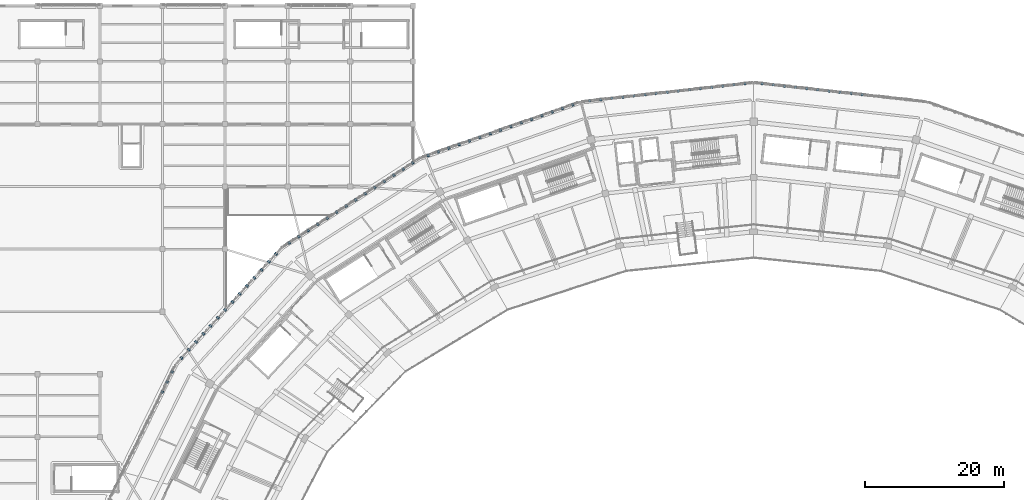
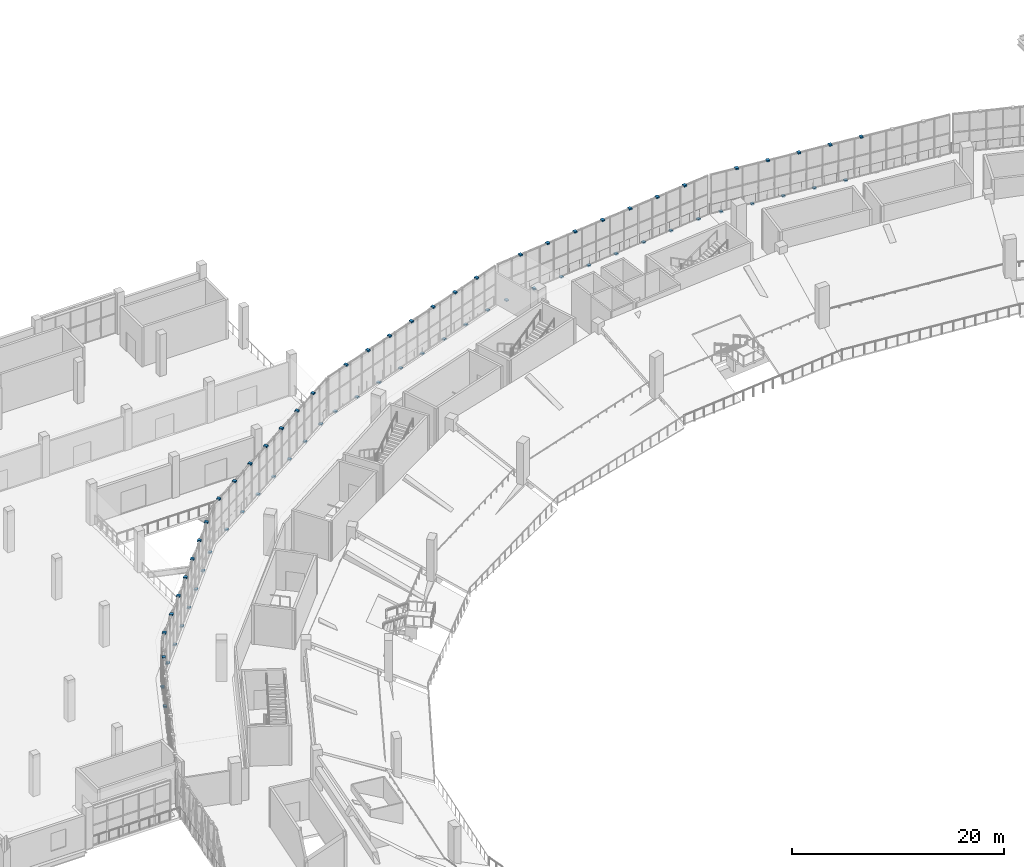
# One storey, part 109 of 152: 71 discrete accessories.
"""IFC4 building model written with IfcOpenShell, lengths in metres."""

from ifc_helpers import new_model, si_unit, direction, frame, origin, origin_2d, place, context, subcontext, project, spatial, rectangle, extrude, material, layer, layer_set, type_object, element, save


model = new_model("IFC4")

# Units and contexts
model_context = context("Model", 3, precision=1e-05, world=origin(), true_north=direction((0.0, 1.0)))
body_context = subcontext(model_context, "Body", "Model", "MODEL_VIEW")
ifc_project = project(units=[si_unit("LENGTHUNIT", "METRE"), si_unit("AREAUNIT", "SQUARE_METRE"), si_unit("VOLUMEUNIT", "CUBIC_METRE"), si_unit("PLANEANGLEUNIT", "RADIAN"), si_unit("MASSUNIT", "GRAM", prefix="KILO")], contexts=[model_context])

# Site, building, storey
site_placement = place(None, origin())
site = spatial("IfcSite", under=ifc_project, at=site_placement, CompositionType="ELEMENT")
building_placement = place(site_placement, origin())
building = spatial("IfcBuilding", under=site, at=building_placement, Name="Zevraka Park Crest Stadium", CompositionType="ELEMENT")
storey_placement = place(building_placement, frame((0.0, 0.0, 15.0)))
storey = spatial("IfcBuildingStorey", under=building, at=storey_placement, Name="L03", CompositionType="ELEMENT", Elevation=15.0)

# Discrete accessories
ifc_material = material(Name="Galvanised steel bracketry", Category="steel")
ifc_layer = layer(ifc_material, 0.1201171875)
ifc_layer_set = layer_set([ifc_layer], Name="Galvanised steel bracketry")
discrete_accessory_type = type_object("IfcDiscreteAccessoryType", Name="BRK01", PredefinedType="BRACKET", material=ifc_layer_set)
for number, where, z_axis, x_axis, name in (
    (1, (127.610107421875, 171.205078125, 4.39990234375), (0.0, 0.0, 1.0), (-0.993884104238, 0.110428199945, 0.0), "Bronze Screen Carrier Bracket BRK01 L03-05-6"),
    (2, (126.012939453125, 171.383056640625, -0.16015625), (0.0, 0.0, 1.0), (-0.993884104238, 0.110428199945, 0.0), "Bronze Screen Carrier Bracket BRK01 L03-05-7"),
    (3, (124.4169921875, 171.56005859375, 4.39990234375), (0.0, 0.0, 1.0), (-0.993884104238, 0.110428199945, 0.0), "Bronze Screen Carrier Bracket BRK01 L03-05-8"),
    (4, (122.820068359375, 171.737060546875, -0.16015625), (0.0, 0.0, 1.0), (-0.993884104238, 0.110428199945, 0.0), "Bronze Screen Carrier Bracket BRK01 L03-05-9"),
    (5, (121.222900390625, 171.9150390625, 4.39990234375), (0.0, 0.0, 1.0), (-0.993884104238, 0.110428199945, 0.0), "Bronze Screen Carrier Bracket BRK01 L03-05-10"),
    (6, (119.6259765625, 172.092041015625, -0.16015625), (0.0, 0.0, 1.0), (-0.993884104238, 0.110428199945, 0.0), "Bronze Screen Carrier Bracket BRK01 L03-05-11"),
    (7, (118.029052734375, 172.27001953125, 4.39990234375), (0.0, 0.0, 1.0), (-0.993884104238, 0.110428199945, 0.0), "Bronze Screen Carrier Bracket BRK01 L03-05-12"),
    (8, (116.431884765625, 172.447021484375, -0.16015625), (0.0, 0.0, 1.0), (-0.993884104238, 0.110428199945, 0.0), "Bronze Screen Carrier Bracket BRK01 L03-05-13"),
    (9, (114.8349609375, 172.6240234375, 4.39990234375), (0.0, 0.0, 1.0), (-0.993884104238, 0.110428199945, 0.0), "Bronze Screen Carrier Bracket BRK01 L03-05-14"),
    (10, (113.239013671875, 172.802001953125, -0.16015625), (0.0, 0.0, 1.0), (-0.993884104238, 0.110428199945, 0.0), "Bronze Screen Carrier Bracket BRK01 L03-05-15"),
    (11, (110.760986328125, 172.802001953125, -0.16015625), (0.0, 0.0, 1.0), (-0.993884104238, -0.110428199945, 0.0), "Bronze Screen Carrier Bracket BRK01 L03-06-1"),
    (12, (109.1650390625, 172.6240234375, 4.39990234375), (0.0, 0.0, 1.0), (-0.993884104238, -0.110428199945, 0.0), "Bronze Screen Carrier Bracket BRK01 L03-06-2"),
    (13, (107.568115234375, 172.447021484375, -0.16015625), (0.0, 0.0, 1.0), (-0.993884104238, -0.110428199945, 0.0), "Bronze Screen Carrier Bracket BRK01 L03-06-3"),
    (14, (105.970947265625, 172.27001953125, 4.39990234375), (0.0, 0.0, 1.0), (-0.993884104238, -0.110428199945, 0.0), "Bronze Screen Carrier Bracket BRK01 L03-06-4"),
    (15, (104.3740234375, 172.092041015625, -0.16015625), (0.0, 0.0, 1.0), (-0.993884104238, -0.110428199945, 0.0), "Bronze Screen Carrier Bracket BRK01 L03-06-5"),
    (16, (102.777099609375, 171.9150390625, 4.39990234375), (0.0, 0.0, 1.0), (-0.993884104238, -0.110428199945, 0.0), "Bronze Screen Carrier Bracket BRK01 L03-06-6"),
    (17, (101.179931640625, 171.737060546875, -0.16015625), (0.0, 0.0, 1.0), (-0.993884104238, -0.110428199945, 0.0), "Bronze Screen Carrier Bracket BRK01 L03-06-7"),
    (18, (99.583984375, 171.56005859375, 4.39990234375), (0.0, 0.0, 1.0), (-0.993884104238, -0.110428199945, 0.0), "Bronze Screen Carrier Bracket BRK01 L03-06-8"),
    (19, (97.987060546875, 171.383056640625, -0.16015625), (0.0, 0.0, 1.0), (-0.993884104238, -0.110428199945, 0.0), "Bronze Screen Carrier Bracket BRK01 L03-06-9"),
    (20, (96.389892578125, 171.205078125, 4.39990234375), (0.0, 0.0, 1.0), (-0.993884104238, -0.110428199945, 0.0), "Bronze Screen Carrier Bracket BRK01 L03-06-10"),
    (21, (94.79296875, 171.028076171875, -0.16015625), (0.0, 0.0, 1.0), (-0.993884104238, -0.110428199945, 0.0), "Bronze Screen Carrier Bracket BRK01 L03-06-11"),
    (22, (93.196044921875, 170.85009765625, 4.39990234375), (0.0, 0.0, 1.0), (-0.993884104238, -0.110428199945, 0.0), "Bronze Screen Carrier Bracket BRK01 L03-06-12"),
    (23, (91.59912109375, 170.673095703125, -0.16015625), (0.0, 0.0, 1.0), (-0.993884104238, -0.110428199945, 0.0), "Bronze Screen Carrier Bracket BRK01 L03-06-13"),
    (24, (90.001953125, 170.49609375, 4.39990234375), (0.0, 0.0, 1.0), (-0.993884104238, -0.110428199945, 0.0), "Bronze Screen Carrier Bracket BRK01 L03-06-14"),
    (25, (88.406005859375, 170.318115234375, -0.16015625), (0.0, 0.0, 1.0), (-0.993884104238, -0.110428199945, 0.0), "Bronze Screen Carrier Bracket BRK01 L03-06-15"),
    (26, (86.0048828125, 169.77490234375, -0.16015625), (0.0, 0.0, 1.0), (-0.944031464141, -0.329855414859, 0.0), "Bronze Screen Carrier Bracket BRK01 L03-07-1"),
    (27, (84.51806640625, 169.2548828125, 4.39990234375), (0.0, 0.0, 1.0), (-0.944031464141, -0.329855414859, 0.0), "Bronze Screen Carrier Bracket BRK01 L03-07-2"),
    (28, (83.031005859375, 168.735107421875, -0.16015625), (0.0, 0.0, 1.0), (-0.944031464141, -0.329855414859, 0.0), "Bronze Screen Carrier Bracket BRK01 L03-07-3"),
    (29, (81.5439453125, 168.216064453125, 4.39990234375), (0.0, 0.0, 1.0), (-0.944031464141, -0.329855414859, 0.0), "Bronze Screen Carrier Bracket BRK01 L03-07-4"),
    (30, (80.056884765625, 167.696044921875, -0.16015625), (0.0, 0.0, 1.0), (-0.944031464141, -0.329855414859, 0.0), "Bronze Screen Carrier Bracket BRK01 L03-07-5"),
    (31, (78.570068359375, 167.176025390625, 4.39990234375), (0.0, 0.0, 1.0), (-0.944031464141, -0.329855414859, 0.0), "Bronze Screen Carrier Bracket BRK01 L03-07-6"),
    (32, (77.0830078125, 166.656982421875, -0.16015625), (0.0, 0.0, 1.0), (-0.944031464141, -0.329855414859, 0.0), "Bronze Screen Carrier Bracket BRK01 L03-07-7"),
    (33, (75.596923828125, 166.136962890625, 4.39990234375), (0.0, 0.0, 1.0), (-0.944031464141, -0.329855414859, 0.0), "Bronze Screen Carrier Bracket BRK01 L03-07-8"),
    (34, (74.110107421875, 165.616943359375, -0.16015625), (0.0, 0.0, 1.0), (-0.944031464141, -0.329855414859, 0.0), "Bronze Screen Carrier Bracket BRK01 L03-07-9"),
    (35, (72.623046875, 165.097900390625, 4.39990234375), (0.0, 0.0, 1.0), (-0.944031464141, -0.329855414859, 0.0), "Bronze Screen Carrier Bracket BRK01 L03-07-10"),
    (36, (71.135986328125, 164.577880859375, -0.16015625), (0.0, 0.0, 1.0), (-0.944031464141, -0.329855414859, 0.0), "Bronze Screen Carrier Bracket BRK01 L03-07-11"),
    (37, (69.64892578125, 164.05810546875, 4.39990234375), (0.0, 0.0, 1.0), (-0.944031464141, -0.329855414859, 0.0), "Bronze Screen Carrier Bracket BRK01 L03-07-12"),
    (38, (68.162109375, 163.5390625, -0.16015625), (0.0, 0.0, 1.0), (-0.944031464141, -0.329855414859, 0.0), "Bronze Screen Carrier Bracket BRK01 L03-07-13"),
    (39, (66.675048828125, 163.01904296875, 4.39990234375), (0.0, 0.0, 1.0), (-0.944031464141, -0.329855414859, 0.0), "Bronze Screen Carrier Bracket BRK01 L03-07-14"),
    (40, (65.18798828125, 162.4990234375, -0.16015625), (0.0, 0.0, 1.0), (-0.944031464141, -0.329855414859, 0.0), "Bronze Screen Carrier Bracket BRK01 L03-07-15"),
    (41, (62.971923828125, 161.410888671875, -0.16015625), (0.0, 0.0, 1.0), (-0.839430209734, -0.543467499475, 0.0), "Bronze Screen Carrier Bracket BRK01 L03-08-1"),
    (42, (61.60595703125, 160.527099609375, 4.39990234375), (0.0, 0.0, 1.0), (-0.839430209734, -0.543467499475, 0.0), "Bronze Screen Carrier Bracket BRK01 L03-08-2"),
    (43, (60.239990234375, 159.64208984375, -0.16015625), (0.0, 0.0, 1.0), (-0.839430209734, -0.543467499475, 0.0), "Bronze Screen Carrier Bracket BRK01 L03-08-3"),
    (44, (58.8740234375, 158.758056640625, 4.39990234375), (0.0, 0.0, 1.0), (-0.839430209734, -0.543467499475, 0.0), "Bronze Screen Carrier Bracket BRK01 L03-08-4"),
    (45, (57.507080078125, 157.873046875, -0.16015625), (0.0, 0.0, 1.0), (-0.839430209734, -0.543467499475, 0.0), "Bronze Screen Carrier Bracket BRK01 L03-08-5"),
    (46, (56.14111328125, 156.989013671875, 4.39990234375), (0.0, 0.0, 1.0), (-0.839430209734, -0.543467499475, 0.0), "Bronze Screen Carrier Bracket BRK01 L03-08-6"),
    (47, (54.77490234375, 156.10400390625, -0.16015625), (0.0, 0.0, 1.0), (-0.839430209734, -0.543467499475, 0.0), "Bronze Screen Carrier Bracket BRK01 L03-08-7"),
    (48, (53.408935546875, 155.219970703125, 4.39990234375), (0.0, 0.0, 1.0), (-0.839430209734, -0.543467499475, 0.0), "Bronze Screen Carrier Bracket BRK01 L03-08-8"),
    (49, (52.04296875, 154.3349609375, -0.16015625), (0.0, 0.0, 1.0), (-0.839430209734, -0.543467499475, 0.0), "Bronze Screen Carrier Bracket BRK01 L03-08-9"),
    (50, (50.677001953125, 153.450927734375, 4.39990234375), (0.0, 0.0, 1.0), (-0.839430209734, -0.543467499475, 0.0), "Bronze Screen Carrier Bracket BRK01 L03-08-10"),
    (51, (49.31005859375, 152.56591796875, -0.16015625), (0.0, 0.0, 1.0), (-0.839430209734, -0.543467499475, 0.0), "Bronze Screen Carrier Bracket BRK01 L03-08-11"),
    (52, (47.944091796875, 151.681884765625, 4.39990234375), (0.0, 0.0, 1.0), (-0.839430209734, -0.543467499475, 0.0), "Bronze Screen Carrier Bracket BRK01 L03-08-12"),
    (53, (46.577880859375, 150.797119140625, -0.16015625), (0.0, 0.0, 1.0), (-0.839430209734, -0.543467499475, 0.0), "Bronze Screen Carrier Bracket BRK01 L03-08-13"),
    (54, (45.2119140625, 149.9130859375, 4.39990234375), (0.0, 0.0, 1.0), (-0.839430209734, -0.543467499475, 0.0), "Bronze Screen Carrier Bracket BRK01 L03-08-14"),
    (55, (43.3359375, 148.327880859375, -0.16015625), (0.0, 0.0, 1.0), (-0.672754292556, -0.739865975598, 0.0), "Bronze Screen Carrier Bracket BRK01 L03-09-1"),
    (56, (42.2900390625, 147.177001953125, 4.39990234375), (0.0, 0.0, 1.0), (-0.672754292556, -0.739865975598, 0.0), "Bronze Screen Carrier Bracket BRK01 L03-09-2"),
    (57, (41.242919921875, 146.02587890625, -0.16015625), (0.0, 0.0, 1.0), (-0.672754292556, -0.739865975598, 0.0), "Bronze Screen Carrier Bracket BRK01 L03-09-3"),
    (58, (40.197021484375, 144.8759765625, 4.39990234375), (0.0, 0.0, 1.0), (-0.672754292556, -0.739865975598, 0.0), "Bronze Screen Carrier Bracket BRK01 L03-09-4"),
    (59, (39.14990234375, 143.72509765625, -0.16015625), (0.0, 0.0, 1.0), (-0.672754292556, -0.739865975598, 0.0), "Bronze Screen Carrier Bracket BRK01 L03-09-5"),
    (60, (38.10400390625, 142.573974609375, 4.39990234375), (0.0, 0.0, 1.0), (-0.672754292556, -0.739865975598, 0.0), "Bronze Screen Carrier Bracket BRK01 L03-09-6"),
    (61, (37.056884765625, 141.423095703125, -0.16015625), (0.0, 0.0, 1.0), (-0.672754292556, -0.739865975598, 0.0), "Bronze Screen Carrier Bracket BRK01 L03-09-7"),
    (62, (36.010986328125, 140.27294921875, 4.39990234375), (0.0, 0.0, 1.0), (-0.672754292556, -0.739865975598, 0.0), "Bronze Screen Carrier Bracket BRK01 L03-09-8"),
    (63, (34.964111328125, 139.1220703125, -0.16015625), (0.0, 0.0, 1.0), (-0.672754292556, -0.739865975598, 0.0), "Bronze Screen Carrier Bracket BRK01 L03-09-9"),
    (64, (33.91796875, 137.970947265625, 4.39990234375), (0.0, 0.0, 1.0), (-0.672754292556, -0.739865975598, 0.0), "Bronze Screen Carrier Bracket BRK01 L03-09-10"),
    (65, (32.87109375, 136.820068359375, -0.16015625), (0.0, 0.0, 1.0), (-0.672754292556, -0.739865975598, 0.0), "Bronze Screen Carrier Bracket BRK01 L03-09-11"),
    (66, (31.824951171875, 135.669921875, 4.39990234375), (0.0, 0.0, 1.0), (-0.672754292556, -0.739865975598, 0.0), "Bronze Screen Carrier Bracket BRK01 L03-09-12"),
    (67, (30.778076171875, 134.51904296875, -0.16015625), (0.0, 0.0, 1.0), (-0.672754292556, -0.739865975598, 0.0), "Bronze Screen Carrier Bracket BRK01 L03-09-13"),
    (68, (29.73193359375, 133.367919921875, 4.39990234375), (0.0, 0.0, 1.0), (-0.672754292556, -0.739865975598, 0.0), "Bronze Screen Carrier Bracket BRK01 L03-09-14"),
    (69, (28.364013671875, 131.35009765625, -0.16015625), (0.0, 0.0, 1.0), (-0.440722679139, -0.897643314515, 0.0), "Bronze Screen Carrier Bracket BRK01 L03-10-1"),
    (70, (27.656982421875, 129.908935546875, 4.39990234375), (0.0, 0.0, 1.0), (-0.440722679139, -0.897643314515, 0.0), "Bronze Screen Carrier Bracket BRK01 L03-10-2"),
    (71, (26.949951171875, 128.468017578125, -0.16015625), (0.0, 0.0, 1.0), (-0.440722679139, -0.897643314515, 0.0), "Bronze Screen Carrier Bracket BRK01 L03-10-3"),
):
    element("IfcDiscreteAccessory", number, at=place(storey_placement, frame(where, z_axis=z_axis, x_axis=x_axis)), inside=storey, type_object=discrete_accessory_type, Name=name, PredefinedType="BRACKET", context=body_context, shape_type="SweptSolid", body=[
        extrude(rectangle(XDim=0.320068359375, YDim=0.360107421875, at=origin_2d()), origin(), (0.0, 0.0, 1.0), 0.159912109375),
    ])

save(model, "model.ifc")
